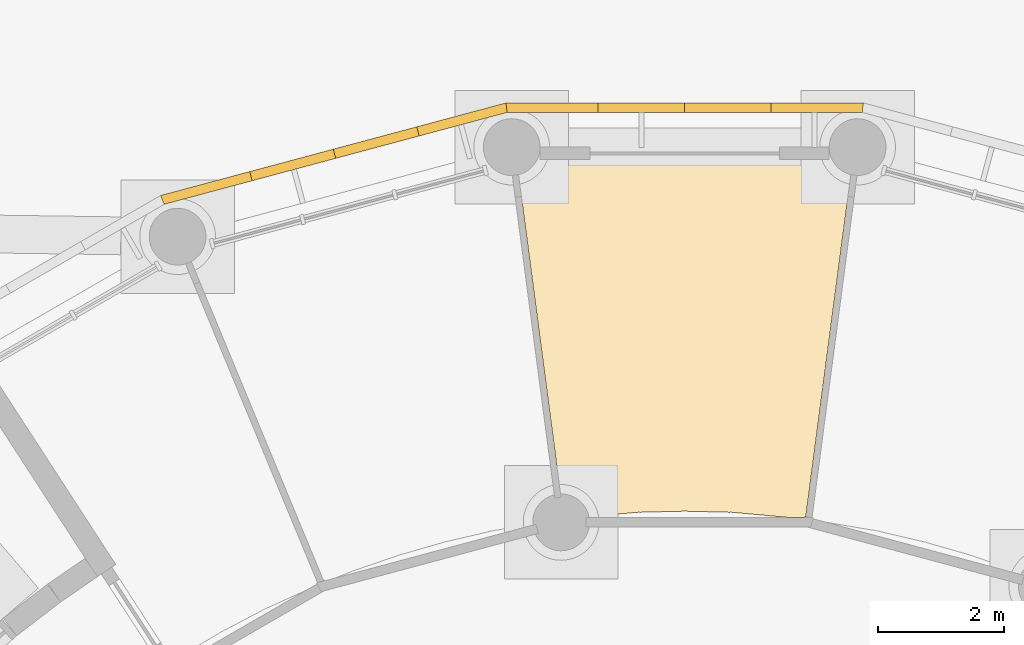
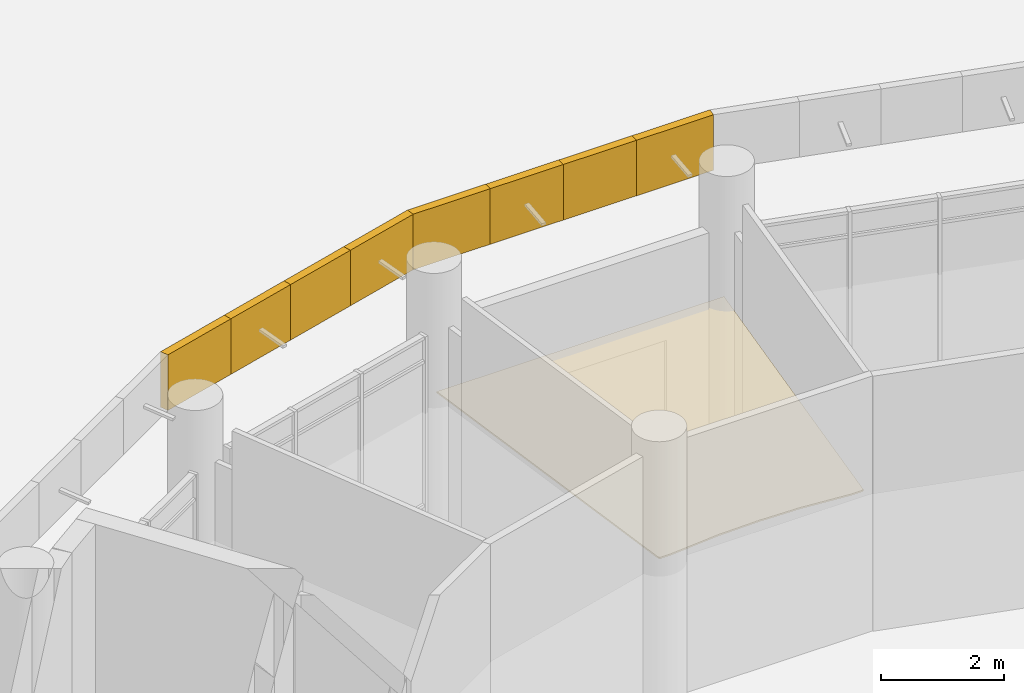
# One storey, part 128 of 146: 9 coverings.
"""IFC4 building model written with IfcOpenShell, lengths in metres."""

from ifc_helpers import new_model, si_unit, direction, frame, origin, place, context, subcontext, project, spatial, polyline, outline, extrude, material, layer, layer_set, type_object, element, save


model = new_model("IFC4")

# Units and contexts
model_context = context("Model", 3, precision=1e-05, world=origin(), true_north=direction((0.0, 1.0)))
body_context = subcontext(model_context, "Body", "Model", "MODEL_VIEW")
ifc_project = project(units=[si_unit("LENGTHUNIT", "METRE"), si_unit("AREAUNIT", "SQUARE_METRE"), si_unit("VOLUMEUNIT", "CUBIC_METRE"), si_unit("PLANEANGLEUNIT", "RADIAN"), si_unit("MASSUNIT", "GRAM", prefix="KILO")], contexts=[model_context])

# Site, building, storey
site_placement = place(None, origin())
site = spatial("IfcSite", under=ifc_project, at=site_placement, CompositionType="ELEMENT")
building_placement = place(site_placement, origin())
building = spatial("IfcBuilding", under=site, at=building_placement, Name="Bougainvillea Quay General Hospital", CompositionType="ELEMENT")
storey_placement = place(building_placement, origin())
storey = spatial("IfcBuildingStorey", under=building, at=storey_placement, Name="L00", CompositionType="ELEMENT", Elevation=0.0)

# Coverings
ifc_material_1 = material(Name="Powder-coated aluminium fascia, white", Category="aluminium")
ifc_layer_1 = layer(ifc_material_1, 0.14990234375)
ifc_layer_set_1 = layer_set([ifc_layer_1], Name="Powder-coated aluminium fascia, white")
covering_type_1 = type_object("IfcCoveringType", Name="Aluminium fascia band white 150x1100", PredefinedType="CLADDING", material=ifc_layer_set_1)
covering_1_placement = place(storey_placement, frame((112.013427734375, 95.3701171875, 4.85009765625), z_axis=(0.0, 0.0, 1.0), x_axis=(-1.0, 0.0, 0.0)))
element("IfcCovering", 1, at=covering_1_placement, inside=storey, type_object=covering_type_1, Name="Fascia band white e0 23", PredefinedType="CLADDING", context=body_context, shape_type="SweptSolid", body=[
    extrude(outline(polyline([(0.0, 0.0), (1.44287109375, 0.0), (1.44287109375, -0.14990234375), (-0.019775390625, -0.14990234375), (0.0, 0.0)])), origin(), (0.0, 0.0, 1.0), 1.10009765625),
])
covering_2_placement = place(storey_placement, frame((110.570556640625, 95.3701171875, 4.85009765625), z_axis=(0.0, 0.0, 1.0), x_axis=(-1.0, 0.0, 0.0)))
element("IfcCovering", 2, at=covering_2_placement, inside=storey, type_object=covering_type_1, Name="Fascia band white e0 24", PredefinedType="CLADDING", context=body_context, shape_type="SweptSolid", body=[
    extrude(outline(polyline([(0.0, 0.0), (1.37060546875, 0.0), (1.37060546875, -0.14990234375), (0.0, -0.14990234375), (0.0, 0.0)])), origin(), (0.0, 0.0, 1.0), 1.10009765625),
])
covering_3_placement = place(storey_placement, frame((109.199951171875, 95.3701171875, 4.85009765625), z_axis=(0.0, 0.0, 1.0), x_axis=(-1.0, 0.0, 0.0)))
element("IfcCovering", 3, at=covering_3_placement, inside=storey, type_object=covering_type_1, Name="Fascia band white e0 25", PredefinedType="CLADDING", context=body_context, shape_type="SweptSolid", body=[
    extrude(outline(polyline([(0.0, 0.0), (1.370361328125, 0.0), (1.370361328125, -0.14990234375), (0.0, -0.14990234375), (0.0, 0.0)])), origin(), (0.0, 0.0, 1.0), 1.10009765625),
])
covering_4_placement = place(storey_placement, frame((107.82958984375, 95.3701171875, 4.85009765625), z_axis=(0.0, 0.0, 1.0), x_axis=(-1.0, 0.0, 0.0)))
element("IfcCovering", 4, at=covering_4_placement, inside=storey, type_object=covering_type_1, Name="Fascia band white e0 26", PredefinedType="CLADDING", context=body_context, shape_type="SweptSolid", body=[
    extrude(outline(polyline([(0.0, 0.0), (1.443115234375, 0.0), (1.462646484375, -0.14990234375), (0.0, -0.14990234375), (0.0, 0.0)])), origin(), (0.0, 0.0, 1.0), 1.10009765625),
])
covering_5_placement = place(storey_placement, frame((106.386474609375, 95.3701171875, 4.85009765625), z_axis=(0.0, 0.0, 1.0), x_axis=(-0.965902723626, -0.258905250026, 0.0)))
element("IfcCovering", 5, at=covering_5_placement, inside=storey, type_object=covering_type_1, Name="Fascia band white e0 27", PredefinedType="CLADDING", context=body_context, shape_type="SweptSolid", body=[
    extrude(outline(polyline([(0.0, 0.0), (1.4427484812010494, -1.1102230246251565e-16), (1.4427601315406933, -0.14988922115835282), (-0.019945216217249394, -0.14984782527068197), (0.0, 0.0)])), origin(), (0.0, 0.0, 1.0), 1.10009765625),
])
for number, where, z_axis, x_axis, name in (
    (6, (104.992919921875, 94.99658203125, 4.85009765625), (0.0, 0.0, 1.0), (-0.965917832393, -0.258848876884, 0.0), "Fascia band white e0 28"),
    (7, (103.669189453125, 94.641845703125, 4.85009765625), (0.0, 0.0, 1.0), (-0.965917832393, -0.258848876884, 0.0), "Fascia band white e0 29"),
):
    element("IfcCovering", number, at=place(storey_placement, frame(where, z_axis=z_axis, x_axis=x_axis)), inside=storey, type_object=covering_type_1, Name=name, PredefinedType="CLADDING", context=body_context, shape_type="SweptSolid", body=[
        extrude(outline(polyline([(0.0, 0.0), (1.3704379651734342, -5.551115123125783e-17), (1.3704583634542102, -0.1498892202231306), (2.039828077596978e-05, -0.14988922022313056), (0.0, 0.0)])), origin(), (0.0, 0.0, 1.0), 1.10009765625),
    ])
covering_6_placement = place(storey_placement, frame((102.345458984375, 94.287109375, 4.85009765625), z_axis=(0.0, 0.0, 1.0), x_axis=(-0.96591406393, -0.258862938836, 0.0)))
element("IfcCovering", 8, at=covering_6_placement, inside=storey, type_object=covering_type_1, Name="Fascia band white e0 30", PredefinedType="CLADDING", context=body_context, shape_type="SweptSolid", body=[
    extrude(outline(polyline([(0.0, 0.0), (1.4429842986801122, -5.551115123125783e-17), (1.4627235643386534, -0.14986654323044182), (1.8216170730327164e-05, -0.14988922050420808), (0.0, 0.0)])), origin(), (0.0, 0.0, 1.0), 1.10009765625),
])
ifc_material_2 = material(Name="Mineral fibre ceiling tile")
ifc_layer_2 = layer(ifc_material_2, 0.030029296875)
ifc_layer_set_2 = layer_set([ifc_layer_2], Name="Mineral fibre ceiling tile")
covering_type_2 = type_object("IfcCoveringType", Name="Suspended ceiling mineral fibre tile", PredefinedType="CEILING", material=ifc_layer_set_2)
covering_7_placement = place(storey_placement, frame((0.0, 0.0, 2.699951171875)))
element("IfcCovering", 9, at=covering_7_placement, inside=storey, type_object=covering_type_2, Name="Ceiling Health Advice Room 00H0413", PredefinedType="CEILING", context=body_context, shape_type="SweptSolid", body=[
    extrude(outline(polyline([(106.509521484375, 94.820068359375), (107.28076171875, 88.9599609375), (107.294921875, 88.9638671875), (107.299560546875, 88.947021484375), (107.513916015625, 88.947021484375), (108.3857421875, 89.026611328125), (108.3857421875, 89.02978515625), (108.43408203125, 89.031005859375), (108.482177734375, 89.035400390625), (108.482421875, 89.0322265625), (109.151123046875, 89.048828125), (109.1513671875, 89.05126953125), (109.199951171875, 89.050048828125), (109.248779296875, 89.05126953125), (109.248779296875, 89.048828125), (109.91748046875, 89.0322265625), (109.917724609375, 89.035400390625), (109.9658203125, 89.031005859375), (110.01416015625, 89.02978515625), (110.01416015625, 89.026611328125), (110.88623046875, 88.947021484375), (111.100341796875, 88.947021484375), (111.10498046875, 88.9638671875), (111.119140625, 88.9599609375), (111.890625, 94.820068359375), (106.509521484375, 94.820068359375)])), origin(), (0.0, 0.0, 1.0), 0.030029296875),
])

save(model, "model.ifc")
